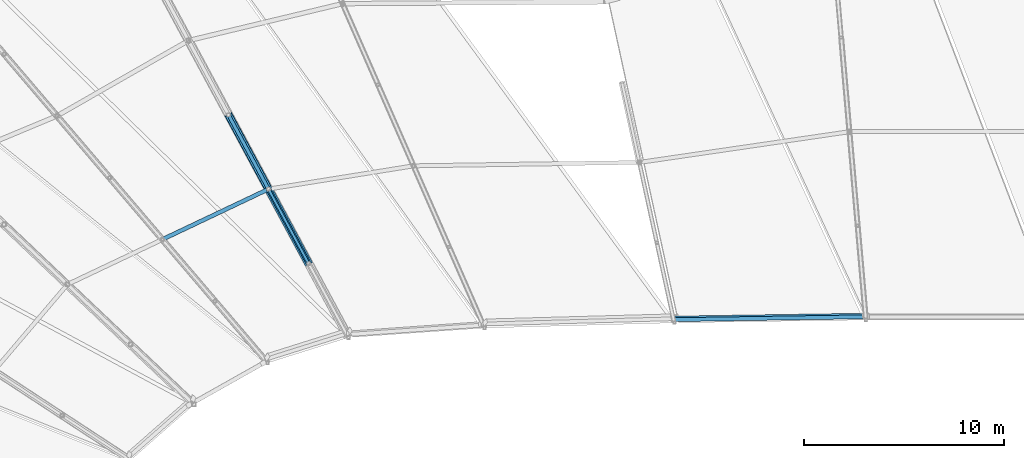
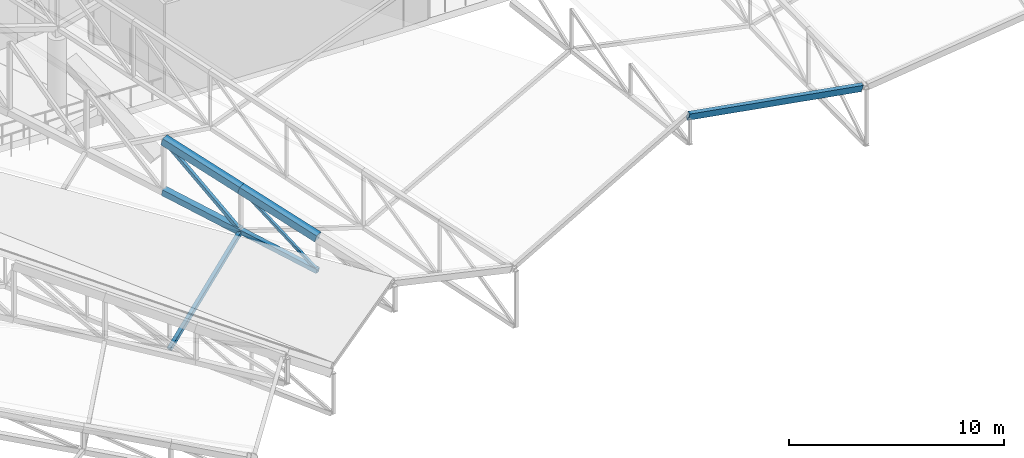
# One storey, part 144 of 344: 7 members, 1 beam.
"""IFC4 building model written with IfcOpenShell, lengths in metres."""

from ifc_helpers import new_model, si_unit, direction, frame, origin, origin_2d, place, context, subcontext, project, spatial, hollow_rectangle, extrude, material, material_profile, profile_set, type_object, element, save


model = new_model("IFC4")

# Units and contexts
model_context = context("Model", 3, precision=1e-05, world=origin(), true_north=direction((0.0, 1.0)))
body_context = subcontext(model_context, "Body", "Model", "MODEL_VIEW")
ifc_project = project(units=[si_unit("LENGTHUNIT", "METRE"), si_unit("AREAUNIT", "SQUARE_METRE"), si_unit("VOLUMEUNIT", "CUBIC_METRE"), si_unit("PLANEANGLEUNIT", "RADIAN"), si_unit("MASSUNIT", "GRAM", prefix="KILO")], contexts=[model_context])

# Site, building, storey
site_placement = place(None, origin())
site = spatial("IfcSite", under=ifc_project, at=site_placement, CompositionType="ELEMENT")
building_placement = place(site_placement, origin())
building = spatial("IfcBuilding", under=site, at=building_placement, Name="Meseta Stadium", CompositionType="ELEMENT")
storey_placement = place(building_placement, frame((0.0, 0.0, 24.0)))
storey = spatial("IfcBuildingStorey", under=building, at=storey_placement, Name="L04", CompositionType="ELEMENT", Elevation=24.0)

# Beam
ifc_material_1 = material(Name="Steel S355", Category="steel")
ifc_material_profile_1 = material_profile(ifc_material_1, hollow_rectangle(XDim=0.199951171875, YDim=0.39990234375, WallThickness=0.01611328125, at=origin_2d()), Name="RHS 400x200x16")
ifc_profile_set_1 = profile_set([ifc_material_profile_1], Name="Steel S355")
beam_type = type_object("IfcBeamType", Name="RHS 400x200x16 tip ring beam", PredefinedType="BEAM", material=ifc_profile_set_1)
beam_placement = place(storey_placement, frame((-4.970703125, 66.177490234375, 4.981689453125), z_axis=(-0.983038626372, -0.014818780601, 0.182798968274), x_axis=(-0.022040349106, -0.979960669881, -0.197967948158)))
element("IfcBeam", 1, at=beam_placement, inside=storey, type_object=beam_type, Name="TIP RING BEAM 20", PredefinedType="BEAM", context=body_context, shape_type="SweptSolid", body=[
    extrude(hollow_rectangle(XDim=0.199951171875, YDim=0.39990234375, WallThickness=0.01611328125, at=origin_2d()), origin(), (0.0, 0.0, 1.0), 9.572021484375),
])

# Members
ifc_material_2 = material(Name="Steel S355", Category="steel")
ifc_material_profile_2 = material_profile(ifc_material_2, hollow_rectangle(XDim=0.139892578125, YDim=0.139892578125, WallThickness=0.0048828125, at=origin_2d()), Name="SHS 140x140x5")
ifc_profile_set_2 = profile_set([ifc_material_profile_2], Name="Steel S355")
member_type_1 = type_object("IfcMemberType", Name="SHS 140x140x5 diagonal", PredefinedType="BRACE", material=ifc_profile_set_2)
member_1_placement = place(storey_placement, frame((-32.68212890625, 68.813232421875, 2.657958984375), z_axis=(-0.38127331743, 0.707813062924, 0.594669088965), x_axis=(-0.880396734491, -0.474237904324, 0.0)))
element("IfcMember", 2, at=member_1_placement, inside=storey, type_object=member_type_1, Name="ROOF TRUSS RT-22 diagonal", PredefinedType="BRACE", context=body_context, shape_type="SweptSolid", body=[
    extrude(hollow_rectangle(XDim=0.139892578125, YDim=0.139892578125, WallThickness=0.0048828125, at=origin_2d()), origin(), (0.0, 0.0, 1.0), 5.24560546875),
])
ifc_material_3 = material(Name="Steel S355", Category="steel")
ifc_material_profile_3 = material_profile(ifc_material_3, hollow_rectangle(XDim=0.179931640625, YDim=0.179931640625, WallThickness=0.00634765625, at=origin_2d()), Name="SHS 180x180x6.3")
ifc_profile_set_3 = profile_set([ifc_material_profile_3], Name="Steel S355")
member_type_2 = type_object("IfcMemberType", Name="SHS 180x180x6.3 diagonal", PredefinedType="BRACE", material=ifc_profile_set_3)
member_2_placement = place(storey_placement, frame((-34.68212890625, 72.526123046875, 3.37158203125), z_axis=(-0.359790502556, 0.667849867311, 0.65155763291), x_axis=(-0.880372563769, -0.474282773209, 0.0)))
element("IfcMember", 3, at=member_2_placement, inside=storey, type_object=member_type_2, Name="ROOF TRUSS RT-22 diagonal", PredefinedType="BRACE", context=body_context, shape_type="SweptSolid", body=[
    extrude(hollow_rectangle(XDim=0.179931640625, YDim=0.179931640625, WallThickness=0.00634765625, at=origin_2d()), origin(), (0.0, 0.0, 1.0), 5.5595703125),
])
ifc_material_4 = material(Name="Steel S355", Category="steel")
ifc_material_profile_4 = material_profile(ifc_material_4, hollow_rectangle(XDim=0.199951171875, YDim=0.199951171875, WallThickness=0.008056640625, at=origin_2d()), Name="SHS 200x200x8")
ifc_profile_set_4 = profile_set([ifc_material_profile_4], Name="Steel S355")
member_type_3 = type_object("IfcMemberType", Name="SHS 200x200x8 strut", PredefinedType="STRUT", material=ifc_profile_set_4)
member_3_placement = place(storey_placement, frame((-34.68212890625, 72.526123046875, 3.37158203125), z_axis=(-0.78425929741, -0.372259919402, -0.496346559203), x_axis=(0.428809384853, -0.90339499194, 0.0)))
element("IfcMember", 4, at=member_3_placement, inside=storey, type_object=member_type_3, Name="ROOF TRUSS STRUT RT-22/23", PredefinedType="STRUT", context=body_context, shape_type="SweptSolid", body=[
    extrude(hollow_rectangle(XDim=0.199951171875, YDim=0.199951171875, WallThickness=0.008056640625, at=origin_2d()), origin(), (0.0, 0.0, 1.0), 6.770263671875),
])
ifc_material_5 = material(Name="Steel S355", Category="steel")
ifc_material_profile_5 = material_profile(ifc_material_5, hollow_rectangle(XDim=0.25, YDim=0.25, WallThickness=0.010009765625, at=origin_2d()), Name="SHS 250x250x10")
ifc_profile_set_5 = profile_set([ifc_material_profile_5], Name="Steel S355")
member_type_4 = type_object("IfcMemberType", Name="SHS 250x250x10 bottom chord", PredefinedType="CHORD", material=ifc_profile_set_5)
member_4_placement = place(storey_placement, frame((-32.68212890625, 68.813232421875, 2.657958984375), z_axis=(-0.46759083346, 0.868056810945, 0.166841797632), x_axis=(-0.880396734491, -0.474237904324, 0.0)))
element("IfcMember", 5, at=member_4_placement, inside=storey, type_object=member_type_4, Name="ROOF TRUSS RT-22 bottom chord", PredefinedType="CHORD", context=body_context, shape_type="SweptSolid", body=[
    extrude(hollow_rectangle(XDim=0.25, YDim=0.25, WallThickness=0.010009765625, at=origin_2d()), origin(), (0.0, 0.0, 1.0), 4.27734375),
])
ifc_material_6 = material(Name="Steel S355", Category="steel")
ifc_material_profile_6 = material_profile(ifc_material_6, hollow_rectangle(XDim=0.35009765625, YDim=0.35009765625, WallThickness=0.010009765625, at=origin_2d()), Name="SHS 350x350x10")
ifc_profile_set_6 = profile_set([ifc_material_profile_6], Name="Steel S355")
member_type_5 = type_object("IfcMemberType", Name="SHS 350x350x10 bottom chord", PredefinedType="CHORD", material=ifc_profile_set_6)
member_5_placement = place(storey_placement, frame((-34.68212890625, 72.526123046875, 3.37158203125), z_axis=(-0.467635430822, 0.868033642371, 0.166837344598), x_axis=(-0.880372563769, -0.474282773209, 0.0)))
element("IfcMember", 6, at=member_5_placement, inside=storey, type_object=member_type_5, Name="ROOF TRUSS RT-22 bottom chord", PredefinedType="CHORD", context=body_context, shape_type="SweptSolid", body=[
    extrude(hollow_rectangle(XDim=0.35009765625, YDim=0.35009765625, WallThickness=0.010009765625, at=origin_2d()), origin(), (0.0, 0.0, 1.0), 4.27734375),
])
ifc_material_7 = material(Name="Steel S355", Category="steel")
ifc_material_profile_7 = material_profile(ifc_material_7, hollow_rectangle(XDim=0.39990234375, YDim=0.39990234375, WallThickness=0.010009765625, at=origin_2d()), Name="SHS 400x400x10")
ifc_profile_set_7 = profile_set([ifc_material_profile_7], Name="Steel S355")
member_type_6 = type_object("IfcMemberType", Name="SHS 400x400x10 top chord", PredefinedType="CHORD", material=ifc_profile_set_7)
member_6_placement = place(storey_placement, frame((-32.68212890625, 68.813232421875, 4.560791015625), z_axis=(-0.455658217472, 0.845904561928, 0.277166125203), x_axis=(-0.880396734491, -0.474237904324, 0.0)))
element("IfcMember", 7, at=member_6_placement, inside=storey, type_object=member_type_6, Name="ROOF TRUSS RT-22 top chord", PredefinedType="CHORD", context=body_context, shape_type="SweptSolid", body=[
    extrude(hollow_rectangle(XDim=0.39990234375, YDim=0.39990234375, WallThickness=0.010009765625, at=origin_2d()), origin(), (0.0, 0.0, 1.0), 4.38916015625),
])
member_7_placement = place(storey_placement, frame((-34.68212890625, 72.526123046875, 5.77734375), z_axis=(-0.455702289582, 0.845883122172, 0.277159100328), x_axis=(-0.880372563769, -0.474282773209, 0.0)))
element("IfcMember", 8, at=member_7_placement, inside=storey, type_object=member_type_6, Name="ROOF TRUSS RT-22 top chord", PredefinedType="CHORD", context=body_context, shape_type="SweptSolid", body=[
    extrude(hollow_rectangle(XDim=0.39990234375, YDim=0.39990234375, WallThickness=0.010009765625, at=origin_2d()), origin(), (0.0, 0.0, 1.0), 4.389404296875),
])

save(model, "model.ifc")
